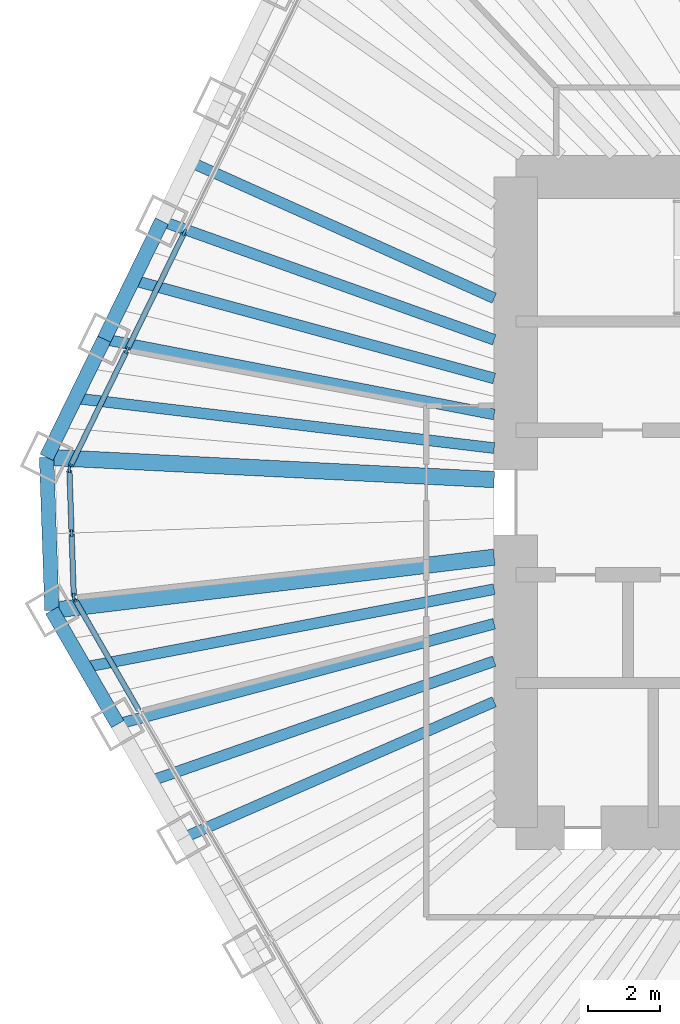
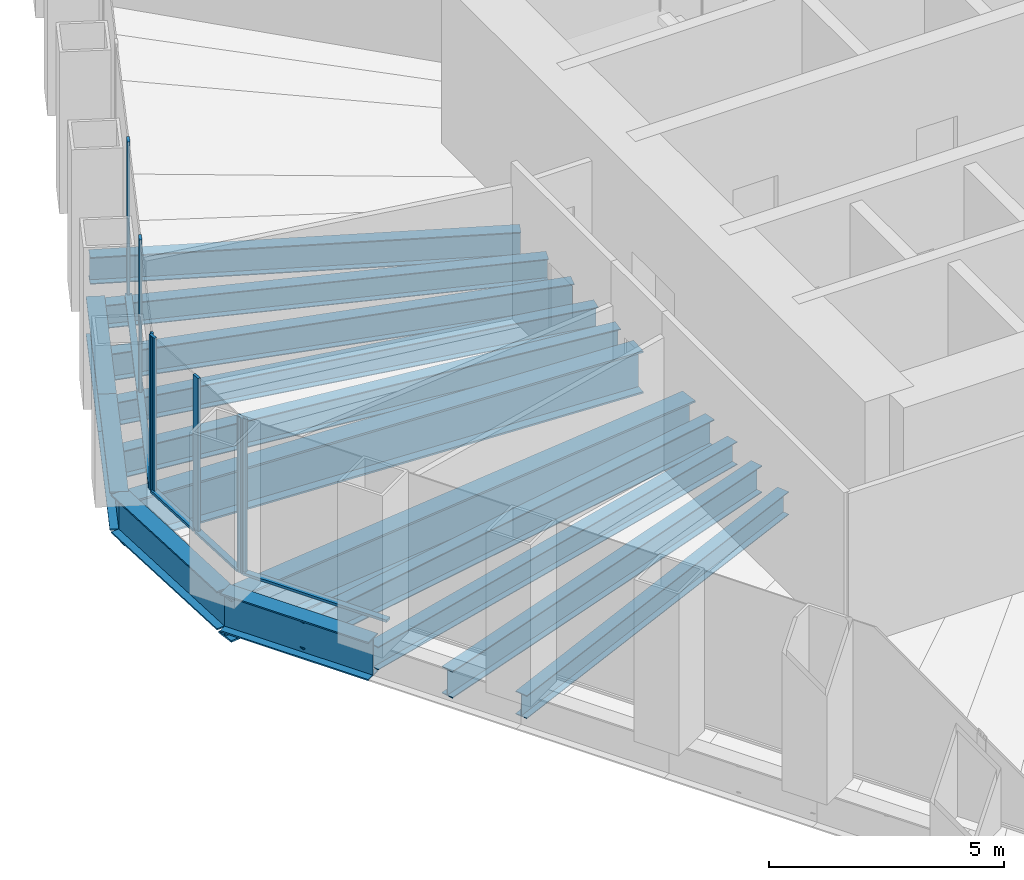
# One storey, part 3 of 13: 15 beams, 12 members, 3 elements without a shape of their own.
"""IFC4 building model written with IfcOpenShell, lengths in metres."""

from ifc_helpers import new_model, si_unit, direction, frame, origin, origin_2d, place, context, subcontext, project, spatial, rectangle, i_section, extrude, material, material_profile, profile_set, type_object, element, aggregate, save


model = new_model("IFC4")

# Units and contexts
model_context = context("Model", 3, precision=1e-05, world=origin(), true_north=direction((0.0, 1.0)))
body_context = subcontext(model_context, "Body", "Model", "MODEL_VIEW")
ifc_project = project(units=[si_unit("LENGTHUNIT", "METRE"), si_unit("AREAUNIT", "SQUARE_METRE"), si_unit("VOLUMEUNIT", "CUBIC_METRE"), si_unit("PLANEANGLEUNIT", "RADIAN"), si_unit("MASSUNIT", "GRAM", prefix="KILO")], contexts=[model_context])

# Site, building, storey
site_placement = place(None, origin())
site = spatial("IfcSite", under=ifc_project, at=site_placement, CompositionType="ELEMENT")
building_placement = place(site_placement, origin())
building = spatial("IfcBuilding", under=site, at=building_placement, Name="Qingtian Harvest Tower", CompositionType="ELEMENT")
storey_placement = place(building_placement, frame((0.0, 0.0, 209.800048828125)))
storey = spatial("IfcBuildingStorey", under=building, at=storey_placement, Name="L45", CompositionType="ELEMENT", Elevation=209.800048828125)

# Beams
ifc_material_1 = material(Name="Steel SM570MC", Category="steel")
ifc_material_profile_1 = material_profile(ifc_material_1, i_section(OverallWidth=0.449951171875, OverallDepth=1.10009765625, WebThickness=0.02197265625, FlangeThickness=0.044921875, at=origin_2d()), Name="H1100x450x22x45")
ifc_profile_set_1 = profile_set([ifc_material_profile_1], Name="Steel SM570MC")
beam_type_1 = type_object("IfcBeamType", Name="Corner floor beam FB8 H1100x450x22x45", PredefinedType="BEAM", material=ifc_profile_set_1)
beam_1_placement = place(storey_placement, frame((-24.833251953125, -2.987548828125, -0.719970703125), z_axis=(0.992841259631, 0.119441337798, 0.0), x_axis=(-0.119441337798, 0.992841259631, 0.0)))
element("IfcBeam", 1, at=beam_1_placement, inside=storey, type_object=beam_type_1, Name="Floor beam FB8 SW6", PredefinedType="BEAM", context=body_context, shape_type="SweptSolid", body=[
    extrude(i_section(OverallWidth=0.449951171875, OverallDepth=1.10009765625, WebThickness=0.02197265625, FlangeThickness=0.044921875, at=origin_2d()), origin(), (0.0, 0.0, 1.0), 12.3212890625),
])
beam_2_placement = place(storey_placement, frame((-24.981201171875, 1.248046875, -0.719970703125), z_axis=(0.998753959075, -0.049905202459, 0.0), x_axis=(0.049905202459, 0.998753959075, 0.0)))
element("IfcBeam", 2, at=beam_2_placement, inside=storey, type_object=beam_type_1, Name="Floor beam FB8 NW0", PredefinedType="BEAM", context=body_context, shape_type="SweptSolid", body=[
    extrude(i_section(OverallWidth=0.449951171875, OverallDepth=1.10009765625, WebThickness=0.02197265625, FlangeThickness=0.044921875, at=origin_2d()), origin(), (0.0, 0.0, 1.0), 12.396484375),
])
ifc_material_2 = material(Name="Steel SN490B", Category="steel")
ifc_material_profile_2 = material_profile(ifc_material_2, i_section(OverallWidth=0.300048828125, OverallDepth=0.60009765625, WebThickness=0.011962890625, FlangeThickness=0.02001953125, at=origin_2d()), Name="H600x300x12x20")
ifc_profile_set_2 = profile_set([ifc_material_profile_2], Name="Steel SN490B")
beam_type_2 = type_object("IfcBeamType", Name="Floor beam FB3 H600x300x12x20", PredefinedType="BEAM", material=ifc_profile_set_2)
beam_3_placement = place(storey_placement, frame((-21.19970703125, -9.281005859375, -0.469970703125), z_axis=(0.916057031544, 0.401048020765, 0.0), x_axis=(-0.401048020765, 0.916057031544, 0.0)))
element("IfcBeam", 3, at=beam_3_placement, inside=storey, type_object=beam_type_2, Name="Floor beam FB3 SW4", PredefinedType="BEAM", context=body_context, shape_type="SweptSolid", body=[
    extrude(i_section(OverallWidth=0.300048828125, OverallDepth=0.60009765625, WebThickness=0.011962890625, FlangeThickness=0.02001953125, at=origin_2d()), origin(), (0.0, 0.0, 1.0), 9.3876953125),
])
beam_4_placement = place(storey_placement, frame((-23.016357421875, -6.13427734375, -0.469970703125), z_axis=(0.966270640629, 0.257528734433, 0.0), x_axis=(-0.257528734433, 0.966270640629, 0.0)))
element("IfcBeam", 4, at=beam_4_placement, inside=storey, type_object=beam_type_2, Name="Floor beam FB3 SW5", PredefinedType="BEAM", context=body_context, shape_type="SweptSolid", body=[
    extrude(i_section(OverallWidth=0.300048828125, OverallDepth=0.60009765625, WebThickness=0.011962890625, FlangeThickness=0.02001953125, at=origin_2d()), origin(), (0.0, 0.0, 1.0), 10.77978515625),
])
beam_5_placement = place(storey_placement, frame((-23.388427734375, 4.513916015625, -0.469970703125), z_axis=(0.981878004162, -0.189514075845, 0.0), x_axis=(0.189514075845, 0.981878004162, 0.0)))
element("IfcBeam", 5, at=beam_5_placement, inside=storey, type_object=beam_type_2, Name="Floor beam FB3 NW1", PredefinedType="BEAM", context=body_context, shape_type="SweptSolid", body=[
    extrude(i_section(OverallWidth=0.300048828125, OverallDepth=0.60009765625, WebThickness=0.011962890625, FlangeThickness=0.02001953125, at=origin_2d()), origin(), (0.0, 0.0, 1.0), 10.987548828125),
])
beam_6_placement = place(storey_placement, frame((-21.79541015625, 7.779541015625, -0.469970703125), z_axis=(0.941800733255, -0.336171650857, 0.0), x_axis=(0.336171650857, 0.941800733255, 0.0)))
element("IfcBeam", 6, at=beam_6_placement, inside=storey, type_object=beam_type_2, Name="Floor beam FB3 NW2", PredefinedType="BEAM", context=body_context, shape_type="SweptSolid", body=[
    extrude(i_section(OverallWidth=0.300048828125, OverallDepth=0.60009765625, WebThickness=0.011962890625, FlangeThickness=0.02001953125, at=origin_2d()), origin(), (0.0, 0.0, 1.0), 9.763427734375),
])
ifc_material_3 = material(Name="Steel SN490B", Category="steel")
ifc_material_profile_3 = material_profile(ifc_material_3, i_section(OverallWidth=0.300048828125, OverallDepth=0.699951171875, WebThickness=0.012939453125, FlangeThickness=0.02392578125, at=origin_2d()), Name="H700x300x13x24")
ifc_profile_set_3 = profile_set([ifc_material_profile_3], Name="Steel SN490B")
beam_type_3 = type_object("IfcBeamType", Name="Floor joist J2 H700x300x13x24", PredefinedType="JOIST", material=ifc_profile_set_3)
beam_7_placement = place(storey_placement, frame((-22.108154296875, -7.707763671875, -0.52001953125), z_axis=(0.944256456951, 0.329210788868, 0.0), x_axis=(-0.329210788868, 0.944256456951, 0.0)))
element("IfcBeam", 7, at=beam_7_placement, inside=storey, type_object=beam_type_3, Name="Floor joist J2 SW4", PredefinedType="JOIST", context=body_context, shape_type="SweptSolid", body=[
    extrude(i_section(OverallWidth=0.300048828125, OverallDepth=0.699951171875, WebThickness=0.012939453125, FlangeThickness=0.02392578125, at=origin_2d()), origin(), (0.0, 0.0, 1.0), 10.0693359375),
])
beam_8_placement = place(storey_placement, frame((-23.9248046875, -4.56103515625, -0.52001953125), z_axis=(0.982309082743, 0.187266830912, 0.0), x_axis=(-0.187266830912, 0.982309082743, 0.0)))
element("IfcBeam", 8, at=beam_8_placement, inside=storey, type_object=beam_type_3, Name="Floor joist J2 SW5", PredefinedType="JOIST", context=body_context, shape_type="SweptSolid", body=[
    extrude(i_section(OverallWidth=0.300048828125, OverallDepth=0.699951171875, WebThickness=0.012939453125, FlangeThickness=0.02392578125, at=origin_2d()), origin(), (0.0, 0.0, 1.0), 11.528564453125),
])
beam_9_placement = place(storey_placement, frame((-24.184814453125, 2.880859375, -0.52001953125), z_axis=(0.992980727423, -0.11827626544, 0.0), x_axis=(0.11827626544, 0.992980727423, 0.0)))
element("IfcBeam", 9, at=beam_9_placement, inside=storey, type_object=beam_type_3, Name="Floor joist J2 NW0", PredefinedType="JOIST", context=body_context, shape_type="SweptSolid", body=[
    extrude(i_section(OverallWidth=0.300048828125, OverallDepth=0.699951171875, WebThickness=0.012939453125, FlangeThickness=0.02392578125, at=origin_2d()), origin(), (0.0, 0.0, 1.0), 11.66650390625),
])
beam_10_placement = place(storey_placement, frame((-22.591796875, 6.146728515625, -0.52001953125), z_axis=(0.964923062728, -0.26253282274, 0.0), x_axis=(0.26253282274, 0.964923062728, 0.0)))
element("IfcBeam", 10, at=beam_10_placement, inside=storey, type_object=beam_type_3, Name="Floor joist J2 NW1", PredefinedType="JOIST", context=body_context, shape_type="SweptSolid", body=[
    extrude(i_section(OverallWidth=0.300048828125, OverallDepth=0.699951171875, WebThickness=0.012939453125, FlangeThickness=0.02392578125, at=origin_2d()), origin(), (0.0, 0.0, 1.0), 10.35498046875),
])
beam_11_placement = place(storey_placement, frame((-20.9990234375, 9.41259765625, -0.52001953125), z_axis=(0.912515128421, -0.409042956671, 0.0), x_axis=(0.409042956671, 0.912515128421, 0.0)))
element("IfcBeam", 11, at=beam_11_placement, inside=storey, type_object=beam_type_3, Name="Floor joist J2 NW2", PredefinedType="JOIST", context=body_context, shape_type="SweptSolid", body=[
    extrude(i_section(OverallWidth=0.300048828125, OverallDepth=0.699951171875, WebThickness=0.012939453125, FlangeThickness=0.02392578125, at=origin_2d()), origin(), (0.0, 0.0, 1.0), 9.2041015625),
])

# Curtain wall, member
ifc_material_4 = material(Name="Bronze-anodised aluminium curtain wall", Category="aluminium")
curtain_wall_type = type_object("IfcCurtainWallType", Name="Curtain wall CW4 office", PredefinedType="USERDEFINED", material=ifc_material_4)
curtain_wall_1_placement = place(storey_placement, origin())
curtain_wall_1 = element("IfcCurtainWall", 12, at=curtain_wall_1_placement, inside=storey, type_object=curtain_wall_type, Name="Curtain wall CW4 L45 SW0-5", ObjectType="RECESSED CURTAIN WALL", PredefinedType="USERDEFINED")
ifc_material_5 = material(Name="Bronze-anodised aluminium mullion", Category="aluminium")
ifc_material_profile_4 = material_profile(ifc_material_5, rectangle(XDim=0.06494140625, YDim=0.199951171875, at=origin_2d()), Name="AL 65x200")
ifc_profile_set_4 = profile_set([ifc_material_profile_4], Name="Bronze-anodised aluminium mullion")
member_type_1 = type_object("IfcMemberType", Name="Mullion CWM 65x200", PredefinedType="MULLION", material=ifc_profile_set_4)
member_1_placement = place(storey_placement, frame((-24.210693359375, -2.665771484375, 0.0), z_axis=(0.0, 0.0, 1.0), x_axis=(-0.866025403784, -0.5, 0.0)))
member_1 = element("IfcMember", 13, at=member_1_placement, type_object=member_type_1, Name="CW4 mullion 7", PredefinedType="MULLION", context=body_context, shape_type="SweptSolid", body=[
    extrude(rectangle(XDim=0.06494140625, YDim=0.199951171875, at=origin_2d()), origin(), (0.0, 0.0, 1.0), 4.030029296875),
])

# Curtain wall, members
curtain_wall_2_placement = place(storey_placement, origin())
curtain_wall_2 = element("IfcCurtainWall", 14, at=curtain_wall_2_placement, inside=storey, type_object=curtain_wall_type, Name="Curtain wall CW4 L45 SWC", ObjectType="RECESSED CURTAIN WALL", PredefinedType="USERDEFINED")
member_2_placement = place(storey_placement, frame((-24.228271484375, -2.60498046875, 0.0), z_axis=(0.0, 0.0, 1.0), x_axis=(-0.999390827019, -0.034899496703, 0.0)))
member_2 = element("IfcMember", 15, at=member_2_placement, type_object=member_type_1, Name="CW4 mullion 1", PredefinedType="MULLION", context=body_context, shape_type="SweptSolid", body=[
    extrude(rectangle(XDim=0.06494140625, YDim=0.199951171875, at=origin_2d()), origin(), (0.0, 0.0, 1.0), 4.030029296875),
])
member_3_placement = place(storey_placement, frame((-24.28955078125, -0.84814453125, 0.0), z_axis=(0.0, 0.0, 1.0), x_axis=(-0.999390827019, -0.034899496703, 0.0)))
member_3 = element("IfcMember", 16, at=member_3_placement, type_object=member_type_1, Name="CW4 mullion 2", PredefinedType="MULLION", context=body_context, shape_type="SweptSolid", body=[
    extrude(rectangle(XDim=0.06494140625, YDim=0.199951171875, at=origin_2d()), origin(), (0.0, 0.0, 1.0), 4.030029296875),
])
member_4_placement = place(storey_placement, frame((-24.350830078125, 0.90869140625, 0.0), z_axis=(0.0, 0.0, 1.0), x_axis=(-0.999390827019, -0.034899496703, 0.0)))
member_4 = element("IfcMember", 17, at=member_4_placement, type_object=member_type_1, Name="CW4 mullion 3", PredefinedType="MULLION", context=body_context, shape_type="SweptSolid", body=[
    extrude(rectangle(XDim=0.06494140625, YDim=0.199951171875, at=origin_2d()), origin(), (0.0, 0.0, 1.0), 4.030029296875),
])

curtain_wall_3_placement = place(storey_placement, origin())
curtain_wall_3 = element("IfcCurtainWall", 18, at=curtain_wall_3_placement, inside=storey, type_object=curtain_wall_type, Name="Curtain wall CW4 L45 NW0-5", ObjectType="RECESSED CURTAIN WALL", PredefinedType="USERDEFINED")
member_5_placement = place(storey_placement, frame((-24.337646484375, 0.970458984375, 0.0), z_axis=(0.0, 0.0, 1.0), x_axis=(-0.898794046299, 0.438371146789, 0.0)))
member_5 = element("IfcMember", 19, at=member_5_placement, type_object=member_type_1, Name="CW4 mullion 1", PredefinedType="MULLION", context=body_context, shape_type="SweptSolid", body=[
    extrude(rectangle(XDim=0.06494140625, YDim=0.199951171875, at=origin_2d()), origin(), (0.0, 0.0, 1.0), 4.030029296875),
])
member_6_placement = place(storey_placement, frame((-22.759033203125, 4.20703125, 0.0), z_axis=(0.0, 0.0, 1.0), x_axis=(-0.898794046299, 0.438371146789, 0.0)))
member_6 = element("IfcMember", 20, at=member_6_placement, type_object=member_type_1, Name="CW4 mullion 2", PredefinedType="MULLION", context=body_context, shape_type="SweptSolid", body=[
    extrude(rectangle(XDim=0.06494140625, YDim=0.199951171875, at=origin_2d()), origin(), (0.0, 0.0, 1.0), 4.030029296875),
])
member_7_placement = place(storey_placement, frame((-21.166259765625, 7.47265625, 0.0), z_axis=(0.0, 0.0, 1.0), x_axis=(-0.898794046299, 0.438371146789, 0.0)))
member_7 = element("IfcMember", 21, at=member_7_placement, type_object=member_type_1, Name="CW4 mullion 3", PredefinedType="MULLION", context=body_context, shape_type="SweptSolid", body=[
    extrude(rectangle(XDim=0.06494140625, YDim=0.199951171875, at=origin_2d()), origin(), (0.0, 0.0, 1.0), 4.030029296875),
])

# Beams
ifc_material_6 = material(Name="Steel SN490B", Category="steel")
ifc_material_profile_5 = material_profile(ifc_material_6, i_section(OverallWidth=0.39990234375, OverallDepth=1.0, WebThickness=0.01904296875, FlangeThickness=0.035888671875, at=origin_2d()), Name="H1000x400x19x36")
ifc_profile_set_5 = profile_set([ifc_material_profile_5], Name="Steel SN490B")
beam_type_4 = type_object("IfcBeamType", Name="Spandrel beam SB3 H1000x400x19x36", PredefinedType="SPANDREL", material=ifc_profile_set_5)
beam_12_placement = place(storey_placement, frame((-23.016357421875, -6.13427734375, -0.5), z_axis=(-0.500026827678, 0.866009914263, 0.0), x_axis=(-0.866009914263, -0.500026827678, 0.0)))
element("IfcBeam", 22, at=beam_12_placement, inside=storey, type_object=beam_type_4, Name="Spandrel SB3 SW5", PredefinedType="SPANDREL", context=body_context, shape_type="SweptSolid", body=[
    extrude(i_section(OverallWidth=0.39990234375, OverallDepth=1.0, WebThickness=0.01904296875, FlangeThickness=0.035888671875, at=origin_2d()), origin(), (0.0, 0.0, 1.0), 3.633544921875),
])
beam_13_placement = place(storey_placement, frame((-24.833251953125, -2.987548828125, -0.5), z_axis=(-0.034908677553, 0.999390506375, 0.0), x_axis=(-0.999390506375, -0.034908677553, 0.0)))
element("IfcBeam", 23, at=beam_13_placement, inside=storey, type_object=beam_type_4, Name="Spandrel SB3 SWC", PredefinedType="SPANDREL", context=body_context, shape_type="SweptSolid", body=[
    extrude(i_section(OverallWidth=0.39990234375, OverallDepth=1.0, WebThickness=0.01904296875, FlangeThickness=0.035888671875, at=origin_2d()), origin(), (0.0, 0.0, 1.0), 4.23828125),
])
for number, where, z_axis, x_axis, name in (
    (24, (-24.981201171875, 1.248046875, -0.5), (0.438349498419, 0.898804604592, 0.0), (-0.898804604592, 0.438349498419, 0.0), "Spandrel SB3 NW0"),
    (25, (-23.388427734375, 4.513916015625, -0.5), (0.438430251153, 0.898765216769, 0.0), (-0.898765216769, 0.438430251153, 0.0), "Spandrel SB3 NW1"),
):
    element("IfcBeam", number, at=place(storey_placement, frame(where, z_axis=z_axis, x_axis=x_axis)), inside=storey, type_object=beam_type_4, Name=name, PredefinedType="SPANDREL", context=body_context, shape_type="SweptSolid", body=[
        extrude(i_section(OverallWidth=0.39990234375, OverallDepth=1.0, WebThickness=0.01904296875, FlangeThickness=0.035888671875, at=origin_2d()), origin(), (0.0, 0.0, 1.0), 3.633544921875),
    ])

# Member
ifc_material_7 = material(Name="Bronze-anodised aluminium transom", Category="aluminium")
ifc_material_profile_6 = material_profile(ifc_material_7, rectangle(XDim=0.14990234375, YDim=0.06494140625, at=origin_2d()), Name="AL 65x150")
ifc_profile_set_6 = profile_set([ifc_material_profile_6], Name="Bronze-anodised aluminium transom")
member_type_2 = type_object("IfcMemberType", Name="Transom CWT 65x150", PredefinedType="USERDEFINED", material=ifc_profile_set_6)
member_8_placement = place(storey_placement, frame((-22.426513671875, -5.756103515625, 0.032470703125), z_axis=(-0.500015305566, 0.866016566931, 0.0), x_axis=(-0.866016566931, -0.500015305566, 0.0)))
member_8 = element("IfcMember", 26, at=member_8_placement, type_object=member_type_2, Name="CW4 transom 6.1", ObjectType="TRANSOM", PredefinedType="USERDEFINED", context=body_context, shape_type="SweptSolid", body=[
    extrude(rectangle(XDim=0.14990234375, YDim=0.06494140625, at=origin_2d()), origin(), (0.0, 0.0, 1.0), 3.5361328125),
])

aggregate(curtain_wall_1, [member_1, member_8])

member_9_placement = place(storey_placement, frame((-24.229248046875, -2.572509765625, 0.032470703125), z_axis=(-0.034899362377, 0.99939083171, 0.0), x_axis=(-0.99939083171, -0.034899362377, 0.0)))
member_9 = element("IfcMember", 27, at=member_9_placement, type_object=member_type_2, Name="CW4 transom 1.1", ObjectType="TRANSOM", PredefinedType="USERDEFINED", context=body_context, shape_type="SweptSolid", body=[
    extrude(rectangle(XDim=0.14990234375, YDim=0.06494140625, at=origin_2d()), origin(), (0.0, 0.0, 1.0), 1.69287109375),
])

member_10_placement = place(storey_placement, frame((-24.29052734375, -0.815673828125, 0.032470703125), z_axis=(-0.034899362377, 0.99939083171, 0.0), x_axis=(-0.99939083171, -0.034899362377, 0.0)))
member_10 = element("IfcMember", 28, at=member_10_placement, type_object=member_type_2, Name="CW4 transom 2.1", ObjectType="TRANSOM", PredefinedType="USERDEFINED", context=body_context, shape_type="SweptSolid", body=[
    extrude(rectangle(XDim=0.14990234375, YDim=0.06494140625, at=origin_2d()), origin(), (0.0, 0.0, 1.0), 1.69287109375),
])

aggregate(curtain_wall_2, [member_2, member_3, member_4, member_9, member_10])

member_11_placement = place(storey_placement, frame((-24.323486328125, 0.99951171875, 0.032470703125), z_axis=(0.438354255898, 0.898802284341, 0.0), x_axis=(-0.898802284341, 0.438354255898, 0.0)))
member_11 = element("IfcMember", 29, at=member_11_placement, type_object=member_type_2, Name="CW4 transom 1.1", ObjectType="TRANSOM", PredefinedType="USERDEFINED", context=body_context, shape_type="SweptSolid", body=[
    extrude(rectangle(XDim=0.14990234375, YDim=0.06494140625, at=origin_2d()), origin(), (0.0, 0.0, 1.0), 3.5361328125),
])

member_12_placement = place(storey_placement, frame((-22.744873046875, 4.236083984375, 0.032470703125), z_axis=(0.438325233634, 0.89881643819, 0.0), x_axis=(-0.89881643819, 0.438325233634, 0.0)))
member_12 = element("IfcMember", 30, at=member_12_placement, type_object=member_type_2, Name="CW4 transom 2.1", ObjectType="TRANSOM", PredefinedType="USERDEFINED", context=body_context, shape_type="SweptSolid", body=[
    extrude(rectangle(XDim=0.14990234375, YDim=0.06494140625, at=origin_2d()), origin(), (0.0, 0.0, 1.0), 3.568603515625),
])

aggregate(curtain_wall_3, [member_5, member_6, member_7, member_11, member_12])

save(model, "model.ifc")
